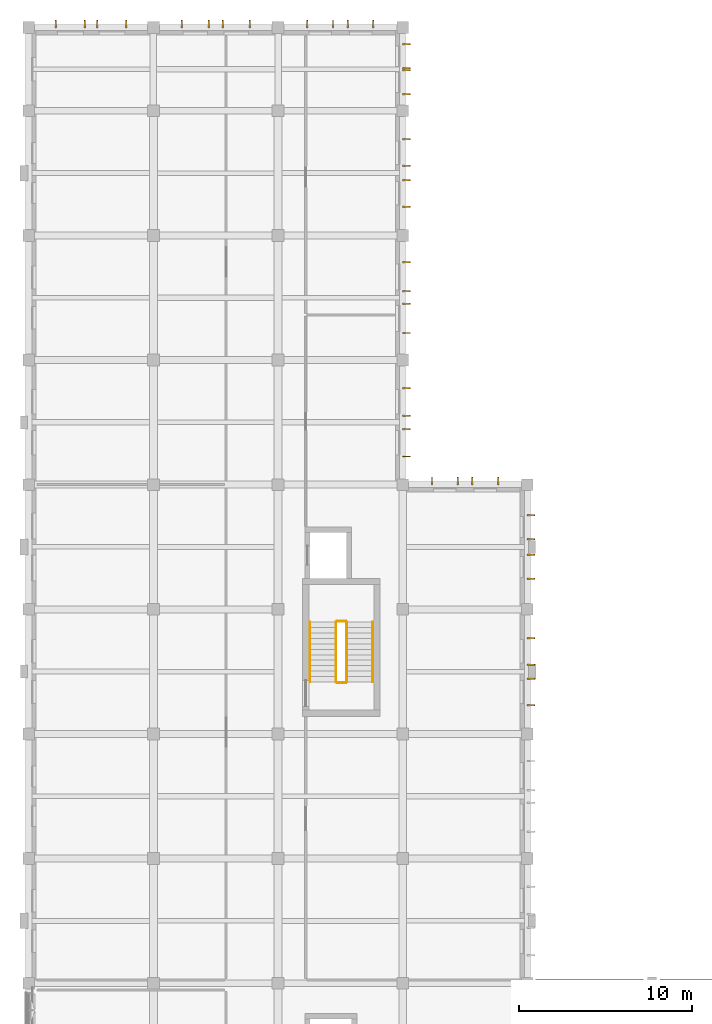
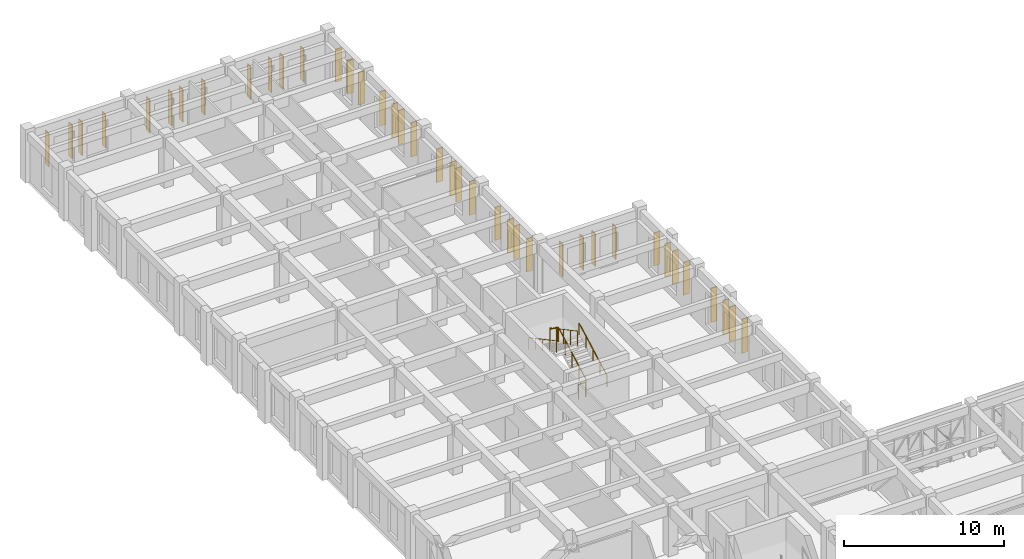
# One storey, part 77 of 88: 40 coverings, 6 railings.
"""IFC4 building model written with IfcOpenShell, lengths in metres."""

import ifcopenshell
import ifcopenshell.guid

model = None  # the IFC model being written
_history = None  # IfcOwnerHistory: only IFC2X3 demands one
_inside = {}  # id of a spatial element -> (the spatial element, [elements in it])
_under = {}  # id of a project, library or spatial element -> (it, [spatial elements below it])
_declared = {}  # id of a project -> (the project, [libraries it declares])
_typed = {}  # id of a type object -> (the type object, [elements of that type])
_made_of = {}  # id of a material, layer set ... -> (it, [elements and type objects made of it])


def new_model(schema):
    """Start an empty IFC model of exactly this schema.

    Asked for "IFC4X3", IfcOpenShell would pick the latest addendum, in which some entities
    have other attributes; the version numbers below select the first issue.
    IFC2X3 requires an IfcOwnerHistory on every rooted entity: one is made here for all.
    """
    global model, _history
    if schema == "IFC4X3":
        model = ifcopenshell.file(schema_version=(4, 3, 0, 0))
    else:
        model = ifcopenshell.file(schema=schema)
    _inside.clear()
    _under.clear()
    _declared.clear()
    _typed.clear()
    _made_of.clear()
    _history = None
    if model.schema == "IFC2X3":
        org = make("IfcOrganization", Name="unknown")
        user = make(
            "IfcPersonAndOrganization",
            ThePerson=make("IfcPerson", FamilyName="unknown"),
            TheOrganization=org,
        )
        app = make(
            "IfcApplication",
            ApplicationDeveloper=org,
            Version="unknown",
            ApplicationFullName="unknown",
            ApplicationIdentifier="unknown",
        )
        _history = make(
            "IfcOwnerHistory",
            OwningUser=user,
            OwningApplication=app,
            ChangeAction="ADDED",
            CreationDate=0,
        )
    return model


def make(cls, **values):
    """One entity of the class cls with the attributes given. An attribute that is None is left unset."""
    return model.create_entity(
        cls, **{name: value for name, value in values.items() if value is not None}
    )


def rooted(cls, **values):
    """An entity with a GlobalId (a new one), such as an element, a storey or a relation."""
    return make(cls, GlobalId=ifcopenshell.guid.new(), OwnerHistory=_history, **values)


def si_unit(unit_type, name, prefix=None):
    """IfcSIUnit, for example si_unit("LENGTHUNIT", "METRE", prefix="MILLI")."""
    return make("IfcSIUnit", UnitType=unit_type, Prefix=prefix, Name=name)


def assignment(units):
    """IfcUnitAssignment: the units of a project."""
    return None if units is None else make("IfcUnitAssignment", Units=units)


def point(xyz):
    """IfcCartesianPoint."""
    return None if xyz is None else make("IfcCartesianPoint", Coordinates=xyz)


def direction(xyz):
    """IfcDirection."""
    return None if xyz is None else make("IfcDirection", DirectionRatios=xyz)


def frame(location, z_axis=None, x_axis=None):
    """IfcAxis2Placement3D, a coordinate frame: its origin and axes. An axis left out is left unset."""
    return make(
        "IfcAxis2Placement3D",
        Location=point(location),
        Axis=direction(z_axis),
        RefDirection=direction(x_axis),
    )


def frame_2d(location, x_axis=None):
    """IfcAxis2Placement2D, a coordinate frame in the plane: its origin and x axis."""
    return make(
        "IfcAxis2Placement2D", Location=point(location), RefDirection=direction(x_axis)
    )


def origin():
    """The frame at (0, 0, 0) with its axes left unset."""
    return frame((0.0, 0.0, 0.0))


def origin_2d():
    """The frame at (0, 0) in the plane with its x axis left unset."""
    return frame_2d((0.0, 0.0))


def place(relative_to, where):
    """IfcLocalPlacement: puts the frame where relative to a parent placement (None: the world)."""
    return make(
        "IfcLocalPlacement", PlacementRelTo=relative_to, RelativePlacement=where
    )


def context(
    kind, dimensions, precision=None, world=None, true_north=None, identifier=None
):
    """IfcGeometricRepresentationContext, for example the 3D "Model" context."""
    return make(
        "IfcGeometricRepresentationContext",
        ContextIdentifier=identifier,
        ContextType=kind,
        CoordinateSpaceDimension=dimensions,
        Precision=precision,
        WorldCoordinateSystem=world,
        TrueNorth=true_north,
    )


def subcontext(parent, identifier, kind, view, scale=None):
    """IfcGeometricRepresentationSubContext, for example "Body" below "Model"."""
    return make(
        "IfcGeometricRepresentationSubContext",
        ContextIdentifier=identifier,
        ContextType=kind,
        ParentContext=parent,
        TargetScale=scale,
        TargetView=view,
    )


def project(units=None, contexts=None):
    """IfcProject with its units and contexts."""
    return rooted(
        "IfcProject",
        Name="project",
        RepresentationContexts=contexts,
        UnitsInContext=assignment(units),
    )


def spatial(cls, under=None, at=None, **own):
    """A site, building, storey or space (cls), placed at a placement, below another one or the project."""
    s = rooted(cls, ObjectPlacement=at, **own)
    if under is not None:
        _under.setdefault(under.id(), (under, []))[1].append(s)
    return s


def polyline(points):
    """IfcPolyline through the points."""
    return make("IfcPolyline", Points=[point(p) for p in points])


def profile(cls, at=None, kind="AREA", **sizes):
    """A parametric profile (cls). Its sizes go by their IFC names, for example OverallWidth=200.0."""
    return make(cls, ProfileType=kind, Position=at, **sizes)


def circle(**sizes):
    """IfcCircleProfileDef."""
    return profile("IfcCircleProfileDef", **sizes)


def outline(outer, holes=None, kind="AREA"):
    """IfcArbitraryClosedProfileDef: a profile drawn as a closed curve; with holes, ...WithVoids."""
    if holes is None:
        return make("IfcArbitraryClosedProfileDef", ProfileType=kind, OuterCurve=outer)
    return make(
        "IfcArbitraryProfileDefWithVoids",
        ProfileType=kind,
        OuterCurve=outer,
        InnerCurves=holes,
    )


def extrude(swept, where, along, depth):
    """IfcExtrudedAreaSolid: the profile swept, set in the frame where, extruded along a direction by depth."""
    return make(
        "IfcExtrudedAreaSolid",
        SweptArea=swept,
        Position=where,
        ExtrudedDirection=direction(along),
        Depth=depth,
    )


def shape(context_of_items, identifier, shape_type, items):
    """IfcShapeRepresentation: the items that make up one representation, for example the "Body"."""
    return make(
        "IfcShapeRepresentation",
        ContextOfItems=context_of_items,
        RepresentationIdentifier=identifier,
        RepresentationType=shape_type,
        Items=items,
    )


def material(Name=None, Category=None):
    """IfcMaterial."""
    return make("IfcMaterial", Name=Name, Category=Category)


def layer(
    of_material, thickness, ventilated=None, Name=None, Category=None, Priority=None
):
    """IfcMaterialLayer: one layer of a wall or slab, of a material (None: an air gap)."""
    return make(
        "IfcMaterialLayer",
        Material=of_material,
        LayerThickness=thickness,
        IsVentilated=ventilated,
        Name=Name,
        Category=Category,
        Priority=Priority,
    )


def layer_set(layers, Name=None):
    """IfcMaterialLayerSet."""
    return make("IfcMaterialLayerSet", MaterialLayers=layers, LayerSetName=Name)


def made_of(thing, what):
    """Note that an element or type object is made of a material, layer set ...; save() writes the relation."""
    if what is not None:
        _made_of.setdefault(what.id(), (what, []))[1].append(thing)
    return thing


def type_object(cls, material=None, **own):
    """A type object (cls), such as IfcWallType, which elements share."""
    return made_of(rooted(cls, **own), material)


def element(
    cls,
    number,
    at=None,
    inside=None,
    cuts=None,
    type_object=None,
    material=None,
    context=None,
    identifier="Body",
    shape_type=None,
    held_by="IfcProductDefinitionShape",
    body=None,
    shapes=None,
    **own,
):
    """One element of the class cls, such as IfcWall. Its Tag is "e" and its number.

    at: its placement. inside: the storey or other place that contains it. cuts: it is an
    opening in that element (IfcRelVoidsElement). A single representation is given by context,
    identifier, shape_type and body (its items); several are given by shapes. held_by: the class
    of the entity that holds the representations. save() writes the other relations.
    """
    e = rooted(cls, Tag="e%d" % number, ObjectPlacement=at, **own)
    if body is not None:
        shapes = [shape(context, identifier, shape_type, body)]
    if shapes is not None:
        e.Representation = make(held_by, Representations=shapes)
    if inside is not None:
        _inside.setdefault(inside.id(), (inside, []))[1].append(e)
    if cuts is not None:
        rooted(
            "IfcRelVoidsElement", RelatingBuildingElement=cuts, RelatedOpeningElement=e
        )
    if type_object is not None:
        _typed.setdefault(type_object.id(), (type_object, []))[1].append(e)
    return made_of(e, material)


def aggregate(whole, parts):
    """IfcRelAggregates: a whole, such as a stair, and the parts it consists of."""
    return rooted("IfcRelAggregates", RelatingObject=whole, RelatedObjects=parts)


def save(model, path):
    """Write the relations noted so far, then the file.

    IfcRelAggregates (storeys below a building ...), IfcRelContainedInSpatialStructure (elements
    in a storey), IfcRelDefinesByType, IfcRelAssociatesMaterial and IfcRelDeclares: one each for
    every whole, place, type object, material and project.
    """
    for whole, parts in _under.values():
        aggregate(whole, parts)
    for where, things in _inside.values():
        rooted(
            "IfcRelContainedInSpatialStructure",
            RelatedElements=things,
            RelatingStructure=where,
        )
    for kind, things in _typed.values():
        rooted("IfcRelDefinesByType", RelatedObjects=things, RelatingType=kind)
    for what, things in _made_of.values():
        rooted("IfcRelAssociatesMaterial", RelatedObjects=things, RelatingMaterial=what)
    for by, libraries in _declared.values():
        rooted("IfcRelDeclares", RelatingContext=by, RelatedDefinitions=libraries)
    model.write(path)


model = new_model("IFC4")

# Units and contexts
model_context = context("Model", 3, precision=1e-05, world=origin(), true_north=direction((0.0, 1.0)))
body_context = subcontext(model_context, "Body", "Model", "MODEL_VIEW")
ifc_project = project(units=[si_unit("LENGTHUNIT", "METRE"), si_unit("AREAUNIT", "SQUARE_METRE"), si_unit("VOLUMEUNIT", "CUBIC_METRE"), si_unit("PLANEANGLEUNIT", "RADIAN"), si_unit("MASSUNIT", "GRAM", prefix="KILO")], contexts=[model_context])

# Site, building, storey
site_placement = place(None, origin())
site = spatial("IfcSite", under=ifc_project, at=site_placement, CompositionType="ELEMENT")
building_placement = place(site_placement, origin())
building = spatial("IfcBuilding", under=site, at=building_placement, Name="Alvorim Cloister Faculty of Sciences", CompositionType="ELEMENT")
storey_placement = place(building_placement, frame((0.0, 0.0, 4.5)))
storey = spatial("IfcBuildingStorey", under=building, at=storey_placement, Name="L01", CompositionType="ELEMENT", Elevation=4.5)

# Coverings
ifc_material_1 = material(Name="Anodised Aluminium Alloy 6063-T6", Category="aluminium")
ifc_layer = layer(ifc_material_1, 0.054931640625)
ifc_layer_set = layer_set([ifc_layer], Name="Anodised Aluminium Alloy 6063-T6")
covering_type = type_object("IfcCoveringType", Name="COV-SHD-FIN", PredefinedType="CLADDING", material=ifc_layer_set)
for number, where, z_axis, x_axis, name in (
    (1, (1.56005859375, 111.60009765625, 0.389892578125), (0.0, 0.0, 1.0), (0.0, 1.0, 0.0), "L01 Brise-Soleil Vertical Fin COV-FIN-00236"),
    (2, (3.239990234375, 111.60009765625, 0.389892578125), (0.0, 0.0, 1.0), (0.0, 1.0, 0.0), "L01 Brise-Soleil Vertical Fin COV-FIN-00237"),
    (3, (3.9599609375, 111.60009765625, 0.389892578125), (0.0, 0.0, 1.0), (0.0, 1.0, 0.0), "L01 Brise-Soleil Vertical Fin COV-FIN-00238"),
    (4, (5.639892578125, 111.60009765625, 0.389892578125), (0.0, 0.0, 1.0), (0.0, 1.0, 0.0), "L01 Brise-Soleil Vertical Fin COV-FIN-00239"),
):
    element("IfcCovering", number, at=place(storey_placement, frame(where, z_axis=z_axis, x_axis=x_axis)), inside=storey, type_object=covering_type, Name=name, PredefinedType="CLADDING", context=body_context, shape_type="SweptSolid", body=[
        extrude(outline(polyline([(0.0, 0.0), (0.43994140625, 0.0), (0.43994140625, 2.56005859375), (0.0, 2.56005859375), (0.0, 0.0)])), frame((0.0, 0.02734375, 0.0), z_axis=(0.0, -1.0, 0.0), x_axis=(1.0, 0.0, 0.0)), (0.0, 0.0, 1.0), 0.054931640625),
    ])
for number, where, z_axis, x_axis, name in (
    (5, (8.82666015625, 111.60009765625, 0.389892578125), (0.0, 0.0, 1.0), (0.0, 1.0, 0.0), "L01 Brise-Soleil Vertical Fin COV-FIN-00240"),
    (6, (10.40673828125, 111.60009765625, 0.389892578125), (0.0, 0.0, 1.0), (0.0, 1.0, 0.0), "L01 Brise-Soleil Vertical Fin COV-FIN-00241"),
    (7, (11.193359375, 111.60009765625, 0.389892578125), (0.0, 0.0, 1.0), (0.0, 1.0, 0.0), "L01 Brise-Soleil Vertical Fin COV-FIN-00242"),
    (8, (12.773193359375, 111.60009765625, 0.389892578125), (0.0, 0.0, 1.0), (0.0, 1.0, 0.0), "L01 Brise-Soleil Vertical Fin COV-FIN-00243"),
):
    element("IfcCovering", number, at=place(storey_placement, frame(where, z_axis=z_axis, x_axis=x_axis)), inside=storey, type_object=covering_type, Name=name, PredefinedType="CLADDING", context=body_context, shape_type="SweptSolid", body=[
        extrude(outline(polyline([(0.0, 0.0), (0.43994140625, 0.0), (0.43994140625, 2.5400390625), (0.0, 2.5400390625), (0.0, 0.0)])), frame((0.0, 0.02734375, 0.0), z_axis=(0.0, -1.0, 0.0), x_axis=(1.0, 0.0, 0.0)), (0.0, 0.0, 1.0), 0.054931640625),
    ])
for number, where, z_axis, x_axis, name in (
    (9, (16.09326171875, 111.60009765625, 0.389892578125), (0.0, 0.0, 1.0), (0.0, 1.0, 0.0), "L01 Brise-Soleil Vertical Fin COV-FIN-00244"),
    (10, (17.5732421875, 111.60009765625, 0.389892578125), (0.0, 0.0, 1.0), (0.0, 1.0, 0.0), "L01 Brise-Soleil Vertical Fin COV-FIN-00245"),
    (11, (18.4267578125, 111.60009765625, 0.389892578125), (0.0, 0.0, 1.0), (0.0, 1.0, 0.0), "L01 Brise-Soleil Vertical Fin COV-FIN-00246"),
    (12, (19.90673828125, 111.60009765625, 0.389892578125), (0.0, 0.0, 1.0), (0.0, 1.0, 0.0), "L01 Brise-Soleil Vertical Fin COV-FIN-00247"),
    (13, (21.60009765625, 107.760009765625, 0.389892578125), (0.0, 0.0, 1.0), (1.0, 0.0, 0.0), "L01 Brise-Soleil Vertical Fin COV-FIN-00248"),
    (14, (21.60009765625, 109.139892578125, 0.389892578125), (0.0, 0.0, 1.0), (1.0, 0.0, 0.0), "L01 Brise-Soleil Vertical Fin COV-FIN-00249"),
    (15, (21.60009765625, 109.260009765625, 0.389892578125), (0.0, 0.0, 1.0), (1.0, 0.0, 0.0), "L01 Brise-Soleil Vertical Fin COV-FIN-00250"),
    (16, (21.60009765625, 110.639892578125, 0.389892578125), (0.0, 0.0, 1.0), (1.0, 0.0, 0.0), "L01 Brise-Soleil Vertical Fin COV-FIN-00251"),
):
    element("IfcCovering", number, at=place(storey_placement, frame(where, z_axis=z_axis, x_axis=x_axis)), inside=storey, type_object=covering_type, Name=name, PredefinedType="CLADDING", context=body_context, shape_type="SweptSolid", body=[
        extrude(outline(polyline([(0.0, 0.0), (0.43994140625, 0.0), (0.43994140625, 2.510009765625), (0.0, 2.510009765625), (0.0, 0.0)])), frame((0.0, 0.02734375, 0.0), z_axis=(0.0, -1.0, 0.0), x_axis=(1.0, 0.0, 0.0)), (0.0, 0.0, 1.0), 0.054931640625),
    ])
for number, where, z_axis, x_axis, name in (
    (17, (21.60009765625, 101.260009765625, 0.389892578125), (0.0, 0.0, 1.0), (1.0, 0.0, 0.0), "L01 Brise-Soleil Vertical Fin COV-FIN-00252"),
    (18, (21.60009765625, 102.7900390625, 0.389892578125), (0.0, 0.0, 1.0), (1.0, 0.0, 0.0), "L01 Brise-Soleil Vertical Fin COV-FIN-00253"),
    (19, (21.60009765625, 103.610107421875, 0.389892578125), (0.0, 0.0, 1.0), (1.0, 0.0, 0.0), "L01 Brise-Soleil Vertical Fin COV-FIN-00254"),
    (20, (21.60009765625, 105.139892578125, 0.389892578125), (0.0, 0.0, 1.0), (1.0, 0.0, 0.0), "L01 Brise-Soleil Vertical Fin COV-FIN-00255"),
):
    element("IfcCovering", number, at=place(storey_placement, frame(where, z_axis=z_axis, x_axis=x_axis)), inside=storey, type_object=covering_type, Name=name, PredefinedType="CLADDING", context=body_context, shape_type="SweptSolid", body=[
        extrude(outline(polyline([(0.0, 0.0), (0.43994140625, 0.0), (0.43994140625, 2.610107421875), (0.0, 2.610107421875), (0.0, 0.0)])), frame((0.0, 0.02734375, 0.0), z_axis=(0.0, -1.0, 0.0), x_axis=(1.0, 0.0, 0.0)), (0.0, 0.0, 1.0), 0.054931640625),
    ])
for number, where, z_axis, x_axis, name in (
    (21, (21.60009765625, 93.9599609375, 0.389892578125), (0.0, 0.0, 1.0), (1.0, 0.0, 0.0), "L01 Brise-Soleil Vertical Fin COV-FIN-00256"),
    (22, (21.60009765625, 95.639892578125, 0.389892578125), (0.0, 0.0, 1.0), (1.0, 0.0, 0.0), "L01 Brise-Soleil Vertical Fin COV-FIN-00257"),
    (23, (21.60009765625, 96.360107421875, 0.389892578125), (0.0, 0.0, 1.0), (1.0, 0.0, 0.0), "L01 Brise-Soleil Vertical Fin COV-FIN-00258"),
    (24, (21.60009765625, 98.0400390625, 0.389892578125), (0.0, 0.0, 1.0), (1.0, 0.0, 0.0), "L01 Brise-Soleil Vertical Fin COV-FIN-00259"),
):
    element("IfcCovering", number, at=place(storey_placement, frame(where, z_axis=z_axis, x_axis=x_axis)), inside=storey, type_object=covering_type, Name=name, PredefinedType="CLADDING", context=body_context, shape_type="SweptSolid", body=[
        extrude(outline(polyline([(0.0, 0.0), (0.43994140625, 0.0), (0.43994140625, 2.56005859375), (0.0, 2.56005859375), (0.0, 0.0)])), frame((0.0, 0.02734375, 0.0), z_axis=(0.0, -1.0, 0.0), x_axis=(1.0, 0.0, 0.0)), (0.0, 0.0, 1.0), 0.054931640625),
    ])
for number, where, z_axis, x_axis, name in (
    (25, (21.60009765625, 86.82666015625, 0.389892578125), (0.0, 0.0, 1.0), (1.0, 0.0, 0.0), "L01 Brise-Soleil Vertical Fin COV-FIN-00260"),
    (26, (21.60009765625, 88.40673828125, 0.389892578125), (0.0, 0.0, 1.0), (1.0, 0.0, 0.0), "L01 Brise-Soleil Vertical Fin COV-FIN-00261"),
    (27, (21.60009765625, 89.193359375, 0.389892578125), (0.0, 0.0, 1.0), (1.0, 0.0, 0.0), "L01 Brise-Soleil Vertical Fin COV-FIN-00262"),
    (28, (21.60009765625, 90.773193359375, 0.389892578125), (0.0, 0.0, 1.0), (1.0, 0.0, 0.0), "L01 Brise-Soleil Vertical Fin COV-FIN-00263"),
):
    element("IfcCovering", number, at=place(storey_placement, frame(where, z_axis=z_axis, x_axis=x_axis)), inside=storey, type_object=covering_type, Name=name, PredefinedType="CLADDING", context=body_context, shape_type="SweptSolid", body=[
        extrude(outline(polyline([(0.0, 0.0), (0.43994140625, 0.0), (0.43994140625, 2.5400390625), (0.0, 2.5400390625), (0.0, 0.0)])), frame((0.0, 0.02734375, 0.0), z_axis=(0.0, -1.0, 0.0), x_axis=(1.0, 0.0, 0.0)), (0.0, 0.0, 1.0), 0.054931640625),
    ])
for number, where, z_axis, x_axis, name in (
    (29, (23.293212890625, 85.199951171875, 0.389892578125), (0.0, 0.0, 1.0), (0.0, 1.0, 0.0), "L01 Brise-Soleil Vertical Fin COV-FIN-00264"),
    (30, (24.773193359375, 85.199951171875, 0.389892578125), (0.0, 0.0, 1.0), (0.0, 1.0, 0.0), "L01 Brise-Soleil Vertical Fin COV-FIN-00265"),
    (31, (25.626708984375, 85.199951171875, 0.389892578125), (0.0, 0.0, 1.0), (0.0, 1.0, 0.0), "L01 Brise-Soleil Vertical Fin COV-FIN-00266"),
    (32, (27.106689453125, 85.199951171875, 0.389892578125), (0.0, 0.0, 1.0), (0.0, 1.0, 0.0), "L01 Brise-Soleil Vertical Fin COV-FIN-00267"),
    (33, (28.800048828125, 79.760009765625, 0.389892578125), (0.0, 0.0, 1.0), (1.0, 0.0, 0.0), "L01 Brise-Soleil Vertical Fin COV-FIN-00268"),
    (34, (28.800048828125, 81.139892578125, 0.389892578125), (0.0, 0.0, 1.0), (1.0, 0.0, 0.0), "L01 Brise-Soleil Vertical Fin COV-FIN-00269"),
    (35, (28.800048828125, 82.06005859375, 0.389892578125), (0.0, 0.0, 1.0), (1.0, 0.0, 0.0), "L01 Brise-Soleil Vertical Fin COV-FIN-00270"),
    (36, (28.800048828125, 83.43994140625, 0.389892578125), (0.0, 0.0, 1.0), (1.0, 0.0, 0.0), "L01 Brise-Soleil Vertical Fin COV-FIN-00271"),
):
    element("IfcCovering", number, at=place(storey_placement, frame(where, z_axis=z_axis, x_axis=x_axis)), inside=storey, type_object=covering_type, Name=name, PredefinedType="CLADDING", context=body_context, shape_type="SweptSolid", body=[
        extrude(outline(polyline([(0.0, 0.0), (0.43994140625, 0.0), (0.43994140625, 2.510009765625), (0.0, 2.510009765625), (0.0, 0.0)])), frame((0.0, 0.02734375, 0.0), z_axis=(0.0, -1.0, 0.0), x_axis=(1.0, 0.0, 0.0)), (0.0, 0.0, 1.0), 0.054931640625),
    ])
for number, where, z_axis, x_axis, name in (
    (37, (28.800048828125, 72.4599609375, 0.389892578125), (0.0, 0.0, 1.0), (1.0, 0.0, 0.0), "L01 Brise-Soleil Vertical Fin COV-FIN-00272"),
    (38, (28.800048828125, 73.989990234375, 0.389892578125), (0.0, 0.0, 1.0), (1.0, 0.0, 0.0), "L01 Brise-Soleil Vertical Fin COV-FIN-00273"),
    (39, (28.800048828125, 74.81005859375, 0.389892578125), (0.0, 0.0, 1.0), (1.0, 0.0, 0.0), "L01 Brise-Soleil Vertical Fin COV-FIN-00274"),
    (40, (28.800048828125, 76.340087890625, 0.389892578125), (0.0, 0.0, 1.0), (1.0, 0.0, 0.0), "L01 Brise-Soleil Vertical Fin COV-FIN-00275"),
):
    element("IfcCovering", number, at=place(storey_placement, frame(where, z_axis=z_axis, x_axis=x_axis)), inside=storey, type_object=covering_type, Name=name, PredefinedType="CLADDING", context=body_context, shape_type="SweptSolid", body=[
        extrude(outline(polyline([(0.0, 0.0), (0.43994140625, 0.0), (0.43994140625, 2.610107421875), (0.0, 2.610107421875), (0.0, 0.0)])), frame((0.0, 0.02734375, 0.0), z_axis=(0.0, -1.0, 0.0), x_axis=(1.0, 0.0, 0.0)), (0.0, 0.0, 1.0), 0.054931640625),
    ])

# Railings
ifc_material_2 = material(Name="Galvanised Painted Steel", Category="steel")
railing_type_1 = type_object("IfcRailingType", Name="RL-STR-GUARD", PredefinedType="GUARDRAIL", material=ifc_material_2)
railing_1_placement = place(storey_placement, frame((18.3701171875, 73.800048828125, 0.168701171875)))
element("IfcRailing", 41, at=railing_1_placement, inside=storey, type_object=railing_type_1, Name="L01 ST-05 stair guard 1", PredefinedType="GUARDRAIL", context=body_context, shape_type="SweptSolid", body=[
    extrude(circle(Radius=0.02392578125, at=origin_2d()), frame((0.0, 0.0, 1.09619140625), z_axis=(0.0, 0.881476276595, 0.47222830686), x_axis=(-1.0, 0.0, 0.0)), (0.0, 0.0, 1.0), 3.9306640625),
    extrude(circle(Radius=0.02099609375, at=origin_2d()), origin(), (0.0, 0.0, 1.0), 1.072021484375),
    extrude(circle(Radius=0.02099609375, at=origin_2d()), frame((0.0, 0.8662109375, 0.464111328125)), (0.0, 0.0, 1.0), 1.072021484375),
    extrude(circle(Radius=0.02099609375, at=origin_2d()), frame((0.0, 1.732421875, 0.92822265625)), (0.0, 0.0, 1.0), 1.072021484375),
    extrude(circle(Radius=0.02099609375, at=origin_2d()), frame((0.0, 2.5986328125, 1.39208984375)), (0.0, 0.0, 1.0), 1.072021484375),
    extrude(circle(Radius=0.02099609375, at=origin_2d()), frame((0.0, 3.46484375, 1.856201171875)), (0.0, 0.0, 1.0), 1.072021484375),
])
railing_2_placement = place(storey_placement, frame((18.320068359375, 77.31494140625, 2.02490234375)))
element("IfcRailing", 42, at=railing_2_placement, inside=storey, type_object=railing_type_1, Name="L01 ST-05 stair guard 2", PredefinedType="GUARDRAIL", context=body_context, shape_type="SweptSolid", body=[
    extrude(circle(Radius=0.02392578125, at=origin_2d()), frame((0.0, 0.0, 1.09619140625), z_axis=(-1.0, 0.0, 0.0), x_axis=(0.0, -1.0, 0.0)), (0.0, 0.0, 1.0), 0.52001953125),
    extrude(circle(Radius=0.02099609375, at=origin_2d()), origin(), (0.0, 0.0, 1.0), 1.072021484375),
    extrude(circle(Radius=0.02099609375, at=origin_2d()), frame((-0.52001953125, 0.0, 0.0)), (0.0, 0.0, 1.0), 1.072021484375),
])
railing_3_placement = place(storey_placement, frame((17.75, 77.264892578125, 2.19384765625)))
element("IfcRailing", 43, at=railing_3_placement, inside=storey, type_object=railing_type_1, Name="L01 ST-05 stair guard 3", PredefinedType="GUARDRAIL", context=body_context, shape_type="SweptSolid", body=[
    extrude(circle(Radius=0.02392578125, at=origin_2d()), frame((0.0, 0.0, 1.09619140625), z_axis=(0.0, -0.881476276595, 0.47222830686), x_axis=(1.0, 0.0, 0.0)), (0.0, 0.0, 1.0), 3.9306640625),
    extrude(circle(Radius=0.02099609375, at=origin_2d()), origin(), (0.0, 0.0, 1.0), 1.072021484375),
    extrude(circle(Radius=0.02099609375, at=origin_2d()), frame((0.0, -0.8662109375, 0.464111328125)), (0.0, 0.0, 1.0), 1.072021484375),
    extrude(circle(Radius=0.02099609375, at=origin_2d()), frame((0.0, -1.732421875, 0.92822265625)), (0.0, 0.0, 1.0), 1.072021484375),
    extrude(circle(Radius=0.02099609375, at=origin_2d()), frame((0.0, -2.5986328125, 1.39208984375)), (0.0, 0.0, 1.0), 1.072021484375),
    extrude(circle(Radius=0.02099609375, at=origin_2d()), frame((0.0, -3.46484375, 1.856201171875)), (0.0, 0.0, 1.0), 1.072021484375),
])
railing_4_placement = place(storey_placement, frame((18.320068359375, 73.75, 0.0)))
element("IfcRailing", 44, at=railing_4_placement, inside=storey, type_object=railing_type_1, Name="L01 ST-05 stair guard 4", PredefinedType="GUARDRAIL", context=body_context, shape_type="SweptSolid", body=[
    extrude(circle(Radius=0.02392578125, at=origin_2d()), frame((0.0, 0.0, 1.09619140625), z_axis=(-1.0, 0.0, 0.0), x_axis=(0.0, -1.0, 0.0)), (0.0, 0.0, 1.0), 0.52001953125),
    extrude(circle(Radius=0.02099609375, at=origin_2d()), origin(), (0.0, 0.0, 1.0), 1.072021484375),
    extrude(circle(Radius=0.02099609375, at=origin_2d()), frame((-0.52001953125, 0.0, 0.0)), (0.0, 0.0, 1.0), 1.072021484375),
])
ifc_material_3 = material(Name="Brushed Stainless Steel", Category="steel")
railing_type_2 = type_object("IfcRailingType", Name="RL-STR-HAND", PredefinedType="HANDRAIL", material=ifc_material_3)
railing_5_placement = place(storey_placement, frame((19.8701171875, 73.800048828125, 0.168701171875)))
element("IfcRailing", 45, at=railing_5_placement, inside=storey, type_object=railing_type_2, Name="L01 ST-05 stair handrail 1", PredefinedType="HANDRAIL", context=body_context, shape_type="SweptSolid", body=[
    extrude(circle(Radius=0.02392578125, at=origin_2d()), frame((0.0, 0.0, 0.8759765625), z_axis=(0.0, 0.881476276595, 0.47222830686), x_axis=(-1.0, 0.0, 0.0)), (0.0, 0.0, 1.0), 3.9306640625),
    extrude(circle(Radius=0.02099609375, at=origin_2d()), origin(), (0.0, 0.0, 1.0), 0.851806640625),
    extrude(circle(Radius=0.02099609375, at=origin_2d()), frame((0.0, 0.8662109375, 0.464111328125)), (0.0, 0.0, 1.0), 0.851806640625),
    extrude(circle(Radius=0.02099609375, at=origin_2d()), frame((0.0, 1.732421875, 0.92822265625)), (0.0, 0.0, 1.0), 0.851806640625),
    extrude(circle(Radius=0.02099609375, at=origin_2d()), frame((0.0, 2.5986328125, 1.39208984375)), (0.0, 0.0, 1.0), 0.851806640625),
    extrude(circle(Radius=0.02099609375, at=origin_2d()), frame((0.0, 3.46484375, 1.856201171875)), (0.0, 0.0, 1.0), 0.851806640625),
])
railing_6_placement = place(storey_placement, frame((16.25, 77.264892578125, 2.19384765625)))
element("IfcRailing", 46, at=railing_6_placement, inside=storey, type_object=railing_type_2, Name="L01 ST-05 stair handrail 2", PredefinedType="HANDRAIL", context=body_context, shape_type="SweptSolid", body=[
    extrude(circle(Radius=0.02392578125, at=origin_2d()), frame((0.0, 0.0, 0.8759765625), z_axis=(0.0, -0.881476276595, 0.47222830686), x_axis=(1.0, 0.0, 0.0)), (0.0, 0.0, 1.0), 3.9306640625),
    extrude(circle(Radius=0.02099609375, at=origin_2d()), origin(), (0.0, 0.0, 1.0), 0.851806640625),
    extrude(circle(Radius=0.02099609375, at=origin_2d()), frame((0.0, -0.8662109375, 0.464111328125)), (0.0, 0.0, 1.0), 0.851806640625),
    extrude(circle(Radius=0.02099609375, at=origin_2d()), frame((0.0, -1.732421875, 0.92822265625)), (0.0, 0.0, 1.0), 0.851806640625),
    extrude(circle(Radius=0.02099609375, at=origin_2d()), frame((0.0, -2.5986328125, 1.39208984375)), (0.0, 0.0, 1.0), 0.851806640625),
    extrude(circle(Radius=0.02099609375, at=origin_2d()), frame((0.0, -3.46484375, 1.856201171875)), (0.0, 0.0, 1.0), 0.851806640625),
])

save(model, "model.ifc")
